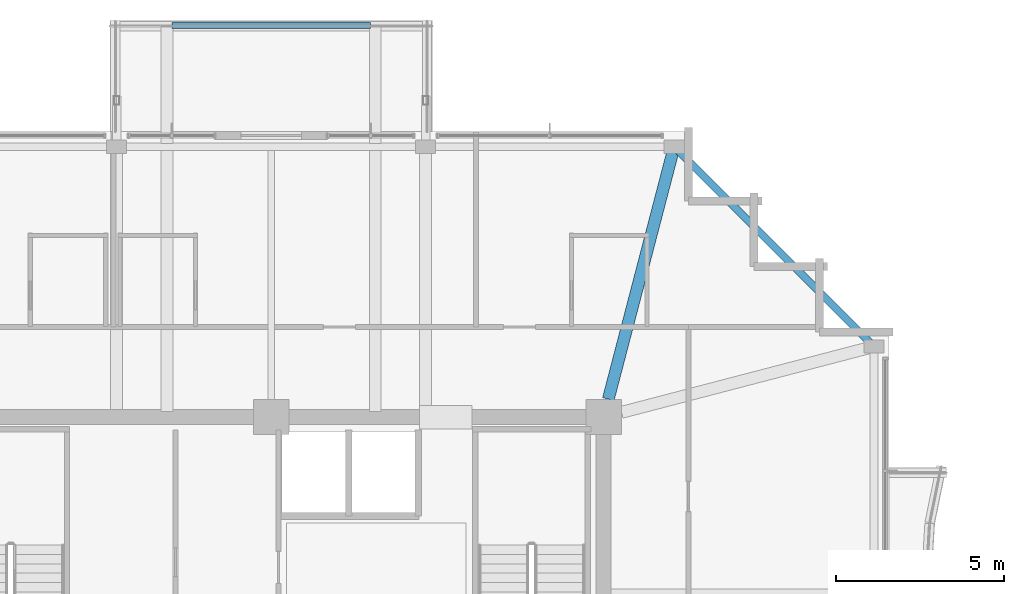
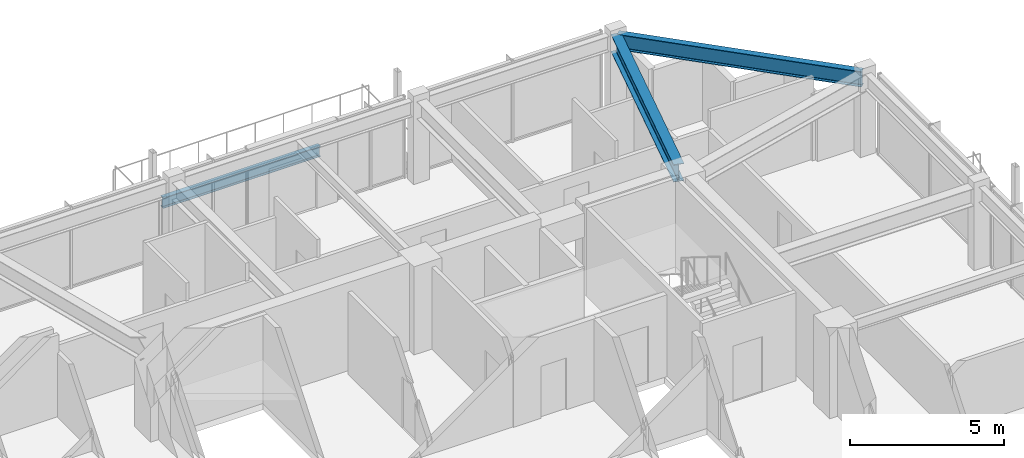
# One storey, part 18 of 31: 3 beams.
"""IFC4 building model written with IfcOpenShell, lengths in metres."""

from ifc_helpers import new_model, si_unit, direction, frame, origin, origin_2d, place, context, subcontext, project, spatial, i_section, extrude, material, material_profile, profile_set, type_object, element, save


model = new_model("IFC4")

# Units and contexts
model_context = context("Model", 3, precision=1e-05, world=origin(), true_north=direction((0.0, 1.0)))
body_context = subcontext(model_context, "Body", "Model", "MODEL_VIEW")
ifc_project = project(units=[si_unit("LENGTHUNIT", "METRE"), si_unit("AREAUNIT", "SQUARE_METRE"), si_unit("VOLUMEUNIT", "CUBIC_METRE"), si_unit("PLANEANGLEUNIT", "RADIAN"), si_unit("MASSUNIT", "GRAM", prefix="KILO")], contexts=[model_context])

# Site, building, storey
site_placement = place(None, origin())
site = spatial("IfcSite", under=ifc_project, at=site_placement, CompositionType="ELEMENT")
building_placement = place(site_placement, origin())
building = spatial("IfcBuilding", under=site, at=building_placement, Name="Kolvaren Belvedere", CompositionType="ELEMENT")
storey_placement = place(building_placement, frame((0.0, 0.0, 251.39990234375)))
storey = spatial("IfcBuildingStorey", under=building, at=storey_placement, Name="L73", CompositionType="ELEMENT", Elevation=251.39990234375)

# Beams
ifc_material_1 = material(Name="Structural steel ASTM A992 Grade 50", Category="steel")
ifc_material_profile_1 = material_profile(ifc_material_1, i_section(OverallWidth=0.180908203125, OverallDepth=0.4169921875, WebThickness=0.010986328125, FlangeThickness=0.018310546875, FilletRadius=0.013916015625, at=origin_2d()), Name="W16X57")
ifc_profile_set_1 = profile_set([ifc_material_profile_1], Name="Structural steel ASTM A992 Grade 50")
beam_type_1 = type_object("IfcBeamType", Name="BM-EDGE-W16X57", PredefinedType="BEAM", material=ifc_profile_set_1)
beam_1_placement = place(storey_placement, frame((-2.9599609375, 21.56005859375, -0.45849609375), z_axis=(1.0, 0.0, 0.0), x_axis=(0.0, 1.0, 0.0)))
element("IfcBeam", 1, at=beam_1_placement, inside=storey, type_object=beam_type_1, Name="L73 Balcony Tip Header Beam SPIRAL-12-N", PredefinedType="BEAM", context=body_context, shape_type="SweptSolid", body=[
    extrude(i_section(OverallWidth=0.180908203125, OverallDepth=0.4169921875, WebThickness=0.010986328125, FlangeThickness=0.018310546875, FilletRadius=0.013916015625, at=origin_2d()), origin(), (0.0, 0.0, 1.0), 5.919921875),
])
ifc_material_2 = material(Name="Structural steel ASTM A992 Grade 50", Category="steel")
ifc_material_profile_2 = material_profile(ifc_material_2, i_section(OverallWidth=0.35498046875, OverallDepth=0.696044921875, WebThickness=0.015380859375, FlangeThickness=0.02490234375, FilletRadius=0.02197265625, at=origin_2d()), Name="W27X146")
ifc_profile_set_2 = profile_set([ifc_material_profile_2], Name="Structural steel ASTM A992 Grade 50")
beam_type_2 = type_object("IfcBeamType", Name="BM-GIRD-W27X146", PredefinedType="BEAM", material=ifc_profile_set_2)
beam_2_placement = place(storey_placement, frame((10.038818359375, 10.43212890625, 2.902099609375), z_axis=(0.252414142221, 0.967619295388, 0.0), x_axis=(-0.967619295388, 0.252414142221, 0.0)))
element("IfcBeam", 2, at=beam_2_placement, inside=storey, type_object=beam_type_2, Name="L73 Corner Core-to-Perimeter Girder CC3-N4", PredefinedType="BEAM", context=body_context, shape_type="SweptSolid", body=[
    extrude(i_section(OverallWidth=0.35498046875, OverallDepth=0.696044921875, WebThickness=0.015380859375, FlangeThickness=0.02490234375, FilletRadius=0.02197265625, at=origin_2d()), origin(), (0.0, 0.0, 1.0), 7.689453125),
])
ifc_material_3 = material(Name="Structural steel ASTM A992 Grade 50", Category="steel")
ifc_material_profile_3 = material_profile(ifc_material_3, i_section(OverallWidth=0.22900390625, OverallDepth=0.612060546875, WebThickness=0.011962890625, FlangeThickness=0.01953125, FilletRadius=0.01806640625, at=origin_2d()), Name="W24X84")
ifc_profile_set_3 = profile_set([ifc_material_profile_3], Name="Structural steel ASTM A992 Grade 50")
beam_type_3 = type_object("IfcBeamType", Name="BM-SPAN-W24X84", PredefinedType="SPANDREL", material=ifc_profile_set_3)
beam_3_placement = place(storey_placement, frame((17.886474609375, 12.063720703125, 2.944091796875), z_axis=(-0.707106781187, 0.707106781187, 0.0), x_axis=(-0.707106781187, -0.707106781187, 0.0)))
element("IfcBeam", 3, at=beam_3_placement, inside=storey, type_object=beam_type_3, Name="L73 Perimeter Spandrel E4-N4", PredefinedType="SPANDREL", context=body_context, shape_type="SweptSolid", body=[
    extrude(i_section(OverallWidth=0.22900390625, OverallDepth=0.612060546875, WebThickness=0.011962890625, FlangeThickness=0.01953125, FilletRadius=0.01806640625, at=origin_2d()), origin(), (0.0, 0.0, 1.0), 8.234619140625),
])

save(model, "model.ifc")
